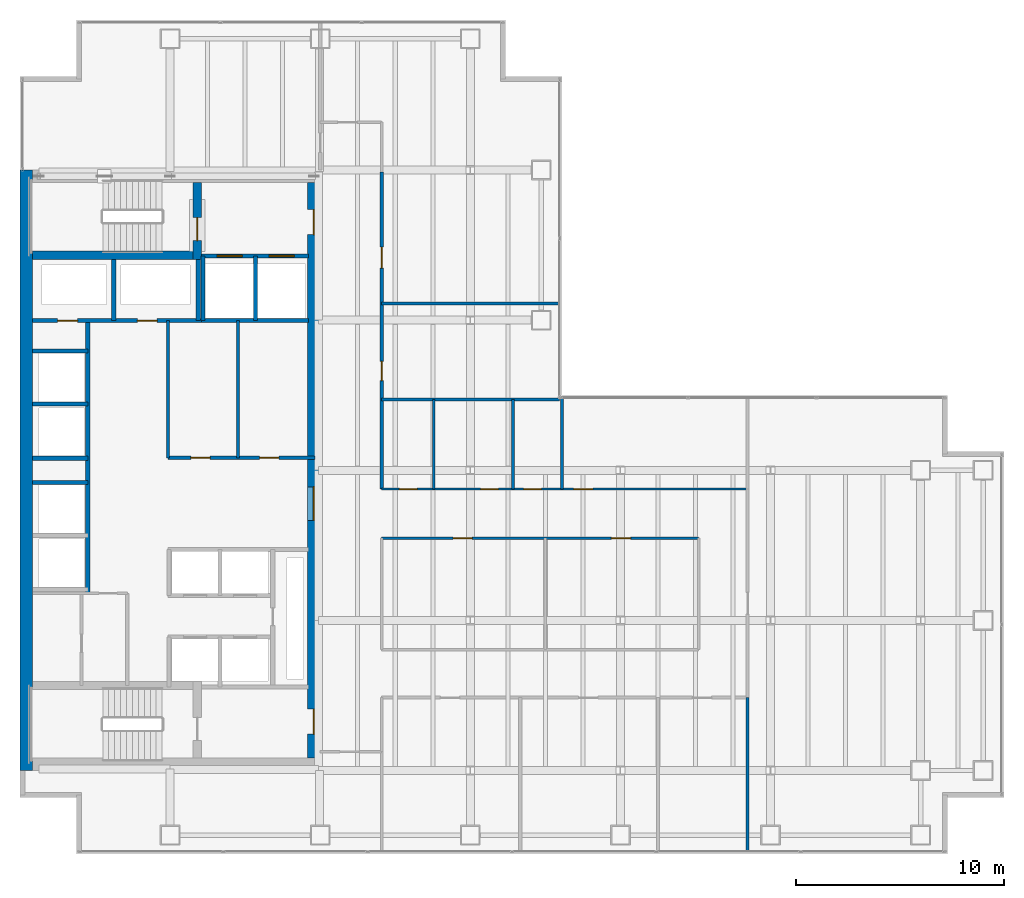
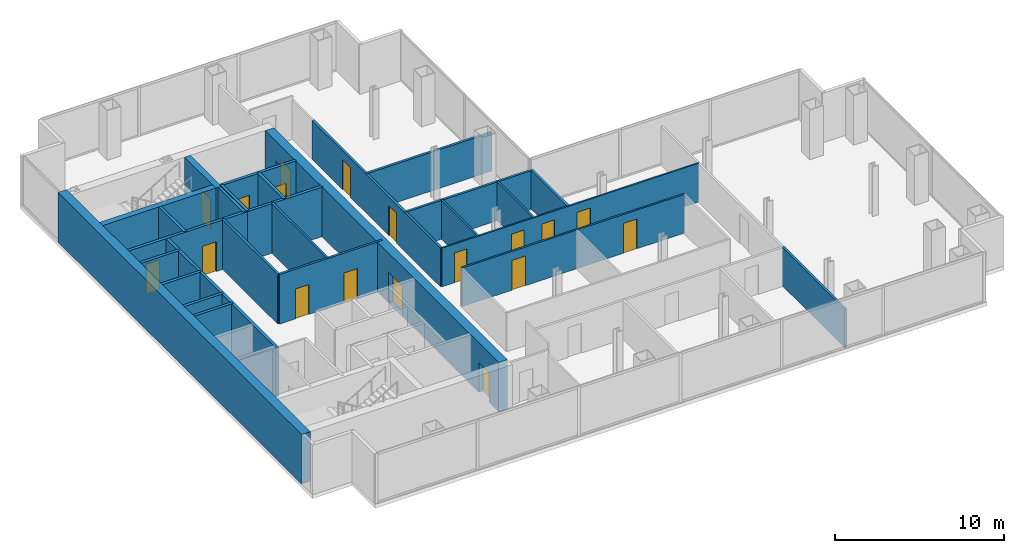
# One storey, part 21 of 23: 28 walls, 18 doors, 18 openings.
"""IFC4 building model written with IfcOpenShell, lengths in metres."""

from ifc_helpers import new_model, si_unit, direction, frame, frame_2d, origin, place, context, subcontext, project, spatial, rectangle, extrude, material, layer, layer_set, type_object, element, fill, save


model = new_model("IFC4")

# Units and contexts
model_context = context("Model", 3, precision=1e-05, world=origin(), true_north=direction((0.0, 1.0)))
body_context = subcontext(model_context, "Body", "Model", "MODEL_VIEW")
ifc_project = project(units=[si_unit("LENGTHUNIT", "METRE"), si_unit("AREAUNIT", "SQUARE_METRE"), si_unit("VOLUMEUNIT", "CUBIC_METRE"), si_unit("PLANEANGLEUNIT", "RADIAN"), si_unit("MASSUNIT", "GRAM", prefix="KILO")], contexts=[model_context])

# Site, building, storey
site_placement = place(None, origin())
site = spatial("IfcSite", under=ifc_project, at=site_placement, CompositionType="ELEMENT")
building_placement = place(site_placement, origin())
building = spatial("IfcBuilding", under=site, at=building_placement, Name="Cobrela Telecom Tower", CompositionType="ELEMENT")
storey_placement = place(building_placement, frame((0.0, 0.0, 109.89990234375)))
storey = spatial("IfcBuildingStorey", under=building, at=storey_placement, Name="L27", CompositionType="ELEMENT", Elevation=109.89990234375)

# Wall
ifc_material_1 = material(Name="Concrete C50/60", Category="concrete")
ifc_layer_1 = layer(ifc_material_1, 0.60009765625)
ifc_layer_set_1 = layer_set([ifc_layer_1], Name="Concrete C50/60")
wall_type_1 = type_object("IfcWallType", Name="WALL-CORE-C50-600", PredefinedType="SHEAR", material=ifc_layer_set_1)
wall_1_placement = place(storey_placement, frame((0.300048828125, 7.199951171875, 0.0), z_axis=(0.0, 0.0, 1.0), x_axis=(0.0, 1.0, 0.0)))
element("IfcWall", 1, at=wall_1_placement, inside=storey, type_object=wall_type_1, Name="L27 West Core Shear Wall", PredefinedType="SHEAR", context=body_context, shape_type="SweptSolid", body=[
    extrude(rectangle(XDim=28.800048828125, YDim=0.60009765625, at=frame_2d((14.39990234375, 0.0))), origin(), (0.0, 0.0, 1.0), 3.580078125),
])

# Wall, openings, doors
wall_2_placement = place(storey_placement, frame((14.10009765625, 35.39990234375, 0.0), z_axis=(0.0, 0.0, 1.0), x_axis=(0.0, -1.0, 0.0)))
wall_2 = element("IfcWall", 2, at=wall_2_placement, inside=storey, type_object=wall_type_1, Name="L27 East Core Shear Wall", PredefinedType="SHEAR", context=body_context, shape_type="SweptSolid", body=[
    extrude(rectangle(XDim=27.599853515625, YDim=0.60009765625, at=frame_2d((13.7998046875, 0.0))), origin(), (0.0, 0.0, 1.0), 3.580078125),
])
opening_1_placement = place(wall_2_placement, frame((1.300048828125, 0.0, 0.0)))
opening_1 = element("IfcOpeningElement", 3, at=opening_1_placement, cuts=wall_2, Name="Opening DR-19", PredefinedType="OPENING", context=body_context, shape_type="SweptSolid", body=[
    extrude(rectangle(XDim=1.199951171875, YDim=2.14990234375, at=frame_2d((0.60009765625, 1.074951171875))), frame((0.0, 0.31201171875, 0.0), z_axis=(0.0, -1.0, 0.0), x_axis=(1.0, 0.0, 0.0)), (0.0, 0.0, 1.0), 0.6240234375),
])
opening_2_placement = place(wall_2_placement, frame((25.25, 0.0, 0.0)))
opening_2 = element("IfcOpeningElement", 4, at=opening_2_placement, cuts=wall_2, Name="Opening DR-19", PredefinedType="OPENING", context=body_context, shape_type="SweptSolid", body=[
    extrude(rectangle(XDim=1.199951171875, YDim=2.14990234375, at=frame_2d((0.60009765625, 1.074951171875))), frame((0.0, 0.31201171875, 0.0), z_axis=(0.0, -1.0, 0.0), x_axis=(1.0, 0.0, 0.0)), (0.0, 0.0, 1.0), 0.6240234375),
])
opening_3_placement = place(wall_2_placement, frame((14.60009765625, 0.0, 0.0)))
opening_3 = element("IfcOpeningElement", 5, at=opening_3_placement, cuts=wall_2, Name="Opening DR-51", PredefinedType="OPENING", context=body_context, shape_type="SweptSolid", body=[
    extrude(rectangle(XDim=1.60009765625, YDim=2.199951171875, at=frame_2d((0.800048828125, 1.10009765625))), frame((0.0, 0.31201171875, 0.0), z_axis=(0.0, -1.0, 0.0), x_axis=(1.0, 0.0, 0.0)), (0.0, 0.0, 1.0), 0.6240234375),
])
ifc_material_2 = material(Name="Steel ASTM A36", Category="steel")
door_type_1 = type_object("IfcDoorType", Name="DOOR-FD60-1200", OperationType="SINGLE_SWING_LEFT", PredefinedType="DOOR", material=ifc_material_2)
door_1_placement = place(opening_1_placement, origin())
door_1 = element("IfcDoor", 6, at=door_1_placement, inside=storey, type_object=door_type_1, Name="L27 Door DR-19", OperationType="SINGLE_SWING_LEFT", OverallHeight=2.14990234375, OverallWidth=1.199951171875, PredefinedType="DOOR", context=body_context, shape_type="SweptSolid", body=[
    extrude(rectangle(XDim=1.199951171875, YDim=2.14990234375, at=frame_2d((0.60009765625, 1.074951171875))), frame((0.0, 0.02490234375, 0.0), z_axis=(0.0, -1.0, 0.0), x_axis=(1.0, 0.0, 0.0)), (0.0, 0.0, 1.0), 0.050048828125),
])
fill(opening_1, door_1)
door_2_placement = place(opening_2_placement, origin())
door_2 = element("IfcDoor", 7, at=door_2_placement, inside=storey, type_object=door_type_1, Name="L27 Door DR-19", OperationType="SINGLE_SWING_RIGHT", OverallHeight=2.14990234375, OverallWidth=1.199951171875, PredefinedType="DOOR", context=body_context, shape_type="SweptSolid", body=[
    extrude(rectangle(XDim=1.199951171875, YDim=2.14990234375, at=frame_2d((0.60009765625, 1.074951171875))), frame((0.0, 0.02490234375, 0.0), z_axis=(0.0, -1.0, 0.0), x_axis=(1.0, 0.0, 0.0)), (0.0, 0.0, 1.0), 0.050048828125),
])
fill(opening_2, door_2)
door_type_2 = type_object("IfcDoorType", Name="DOOR-FD60-1600", OperationType="SINGLE_SWING_LEFT", PredefinedType="DOOR", material=ifc_material_2)
door_3_placement = place(opening_3_placement, origin())
door_3 = element("IfcDoor", 8, at=door_3_placement, inside=storey, type_object=door_type_2, Name="L27 Door DR-51", OperationType="DOUBLE_DOOR_SINGLE_SWING", OverallHeight=2.199951171875, OverallWidth=1.60009765625, PredefinedType="DOOR", context=body_context, shape_type="SweptSolid", body=[
    extrude(rectangle(XDim=1.60009765625, YDim=2.199951171875, at=frame_2d((0.800048828125, 1.10009765625))), frame((0.0, 0.02490234375, 0.0), z_axis=(0.0, -1.0, 0.0), x_axis=(1.0, 0.0, 0.0)), (0.0, 0.0, 1.0), 0.050048828125),
])
fill(opening_3, door_3)

ifc_material_3 = material(Name="Fire-Rated Gypsum Plasterboard")
ifc_layer_2 = layer(ifc_material_3, 0.110107421875)
ifc_layer_set_2 = layer_set([ifc_layer_2], Name="Fire-Rated Gypsum Plasterboard")
wall_type_2 = type_object("IfcWallType", Name="WALL-PART-110", PredefinedType="PARTITIONING", material=ifc_layer_set_2)
wall_3_placement = place(storey_placement, frame((17.35009765625, 20.699951171875, 0.0), z_axis=(0.0, 0.0, 1.0), x_axis=(1.0, 0.0, 0.0)))
wall_3 = element("IfcWall", 9, at=wall_3_placement, inside=storey, type_object=wall_type_2, Name="L27 Interior Partition W-UN-N", PredefinedType="PARTITIONING", context=body_context, shape_type="SweptSolid", body=[
    extrude(rectangle(XDim=17.5498046875, YDim=0.110107421875, at=frame_2d((8.77490234375, 0.0))), origin(), (0.0, 0.0, 1.0), 2.793212890625),
])
opening_4_placement = place(wall_3_placement, frame((0.85009765625, 0.0, 0.0)))
opening_4 = element("IfcOpeningElement", 10, at=opening_4_placement, cuts=wall_3, Name="Opening DR-11", PredefinedType="OPENING", context=body_context, shape_type="SweptSolid", body=[
    extrude(rectangle(XDim=0.85009765625, YDim=2.14990234375, at=frame_2d((0.425048828125, 1.074951171875))), frame((0.0, 0.06689453125, 0.0), z_axis=(0.0, -1.0, 0.0), x_axis=(1.0, 0.0, 0.0)), (0.0, 0.0, 1.0), 0.134033203125),
])
opening_5_placement = place(wall_3_placement, frame((4.75, 0.0, 0.0)))
opening_5 = element("IfcOpeningElement", 11, at=opening_5_placement, cuts=wall_3, Name="Opening DR-11", PredefinedType="OPENING", context=body_context, shape_type="SweptSolid", body=[
    extrude(rectangle(XDim=0.85009765625, YDim=2.14990234375, at=frame_2d((0.425048828125, 1.074951171875))), frame((0.0, 0.06689453125, 0.0), z_axis=(0.0, -1.0, 0.0), x_axis=(1.0, 0.0, 0.0)), (0.0, 0.0, 1.0), 0.134033203125),
])
opening_6_placement = place(wall_3_placement, frame((6.81005859375, 0.0, 0.0)))
opening_6 = element("IfcOpeningElement", 12, at=opening_6_placement, cuts=wall_3, Name="Opening DR-11", PredefinedType="OPENING", context=body_context, shape_type="SweptSolid", body=[
    extrude(rectangle(XDim=0.85009765625, YDim=2.14990234375, at=frame_2d((0.425048828125, 1.074951171875))), frame((0.0, 0.06689453125, 0.0), z_axis=(0.0, -1.0, 0.0), x_axis=(1.0, 0.0, 0.0)), (0.0, 0.0, 1.0), 0.134033203125),
])
opening_7_placement = place(wall_3_placement, frame((9.2099609375, 0.0, 0.0)))
opening_7 = element("IfcOpeningElement", 13, at=opening_7_placement, cuts=wall_3, Name="Opening DR-45", PredefinedType="OPENING", context=body_context, shape_type="SweptSolid", body=[
    extrude(rectangle(XDim=0.919921875, YDim=2.14990234375, at=frame_2d((0.4599609375, 1.074951171875))), frame((0.0, 0.06689453125, 0.0), z_axis=(0.0, -1.0, 0.0), x_axis=(1.0, 0.0, 0.0)), (0.0, 0.0, 1.0), 0.134033203125),
])
ifc_material_4 = material(Name="Solid Engineered Oak Timber", Category="wood")
door_type_3 = type_object("IfcDoorType", Name="DOOR-INT-850", OperationType="SINGLE_SWING_LEFT", PredefinedType="DOOR", material=ifc_material_4)
door_4_placement = place(opening_4_placement, origin())
door_4 = element("IfcDoor", 14, at=door_4_placement, inside=storey, type_object=door_type_3, Name="L27 Door DR-11", OperationType="SINGLE_SWING_LEFT", OverallHeight=2.14990234375, OverallWidth=0.85009765625, PredefinedType="DOOR", context=body_context, shape_type="SweptSolid", body=[
    extrude(rectangle(XDim=0.85009765625, YDim=2.14990234375, at=frame_2d((0.425048828125, 1.074951171875))), frame((0.0, 0.02490234375, 0.0), z_axis=(0.0, -1.0, 0.0), x_axis=(1.0, 0.0, 0.0)), (0.0, 0.0, 1.0), 0.050048828125),
])
fill(opening_4, door_4)
door_5_placement = place(opening_5_placement, origin())
door_5 = element("IfcDoor", 15, at=door_5_placement, inside=storey, type_object=door_type_3, Name="L27 Door DR-11", OperationType="SINGLE_SWING_RIGHT", OverallHeight=2.14990234375, OverallWidth=0.85009765625, PredefinedType="DOOR", context=body_context, shape_type="SweptSolid", body=[
    extrude(rectangle(XDim=0.85009765625, YDim=2.14990234375, at=frame_2d((0.425048828125, 1.074951171875))), frame((0.0, 0.02490234375, 0.0), z_axis=(0.0, -1.0, 0.0), x_axis=(1.0, 0.0, 0.0)), (0.0, 0.0, 1.0), 0.050048828125),
])
fill(opening_5, door_5)
door_6_placement = place(opening_6_placement, origin())
door_6 = element("IfcDoor", 16, at=door_6_placement, inside=storey, type_object=door_type_3, Name="L27 Door DR-11", OperationType="SINGLE_SWING_LEFT", OverallHeight=2.14990234375, OverallWidth=0.85009765625, PredefinedType="DOOR", context=body_context, shape_type="SweptSolid", body=[
    extrude(rectangle(XDim=0.85009765625, YDim=2.14990234375, at=frame_2d((0.425048828125, 1.074951171875))), frame((0.0, 0.02490234375, 0.0), z_axis=(0.0, -1.0, 0.0), x_axis=(1.0, 0.0, 0.0)), (0.0, 0.0, 1.0), 0.050048828125),
])
fill(opening_6, door_6)
door_type_4 = type_object("IfcDoorType", Name="DOOR-INT-920", OperationType="SINGLE_SWING_LEFT", PredefinedType="DOOR", material=ifc_material_4)
door_7_placement = place(opening_7_placement, origin())
door_7 = element("IfcDoor", 17, at=door_7_placement, inside=storey, type_object=door_type_4, Name="L27 Door DR-45", OperationType="SINGLE_SWING_RIGHT", OverallHeight=2.14990234375, OverallWidth=0.919921875, PredefinedType="DOOR", context=body_context, shape_type="SweptSolid", body=[
    extrude(rectangle(XDim=0.919921875, YDim=2.14990234375, at=frame_2d((0.4599609375, 1.074951171875))), frame((0.0, 0.02490234375, 0.0), z_axis=(0.0, -1.0, 0.0), x_axis=(1.0, 0.0, 0.0)), (0.0, 0.0, 1.0), 0.050048828125),
])
fill(opening_7, door_7)

ifc_layer_3 = layer(ifc_material_3, 0.125)
ifc_layer_set_3 = layer_set([ifc_layer_3], Name="Fire-Rated Gypsum Plasterboard")
wall_type_3 = type_object("IfcWallType", Name="WALL-PART-125", PredefinedType="PARTITIONING", material=ifc_layer_set_3)
wall_4_placement = place(storey_placement, frame((17.35009765625, 18.35009765625, 0.0), z_axis=(0.0, 0.0, 1.0), x_axis=(1.0, 0.0, 0.0)))
wall_4 = element("IfcWall", 18, at=wall_4_placement, inside=storey, type_object=wall_type_3, Name="L27 Interior Partition W-ISL-N", PredefinedType="PARTITIONING", context=body_context, shape_type="SweptSolid", body=[
    extrude(rectangle(XDim=15.199951171875, YDim=0.125, at=frame_2d((7.60009765625, 0.0))), origin(), (0.0, 0.0, 1.0), 2.793212890625),
])
opening_8_placement = place(wall_4_placement, frame((3.419921875, 0.0, 0.0)))
opening_8 = element("IfcOpeningElement", 19, at=opening_8_placement, cuts=wall_4, Name="Opening DR-45", PredefinedType="OPENING", context=body_context, shape_type="SweptSolid", body=[
    extrude(rectangle(XDim=0.919921875, YDim=2.14990234375, at=frame_2d((0.4599609375, 1.074951171875))), frame((0.0, 0.074462890625, 0.0), z_axis=(0.0, -1.0, 0.0), x_axis=(1.0, 0.0, 0.0)), (0.0, 0.0, 1.0), 0.14892578125),
])
opening_9_placement = place(wall_4_placement, frame((11.02001953125, 0.0, 0.0)))
opening_9 = element("IfcOpeningElement", 20, at=opening_9_placement, cuts=wall_4, Name="Opening DR-45", PredefinedType="OPENING", context=body_context, shape_type="SweptSolid", body=[
    extrude(rectangle(XDim=0.919921875, YDim=2.14990234375, at=frame_2d((0.4599609375, 1.074951171875))), frame((0.0, 0.074462890625, 0.0), z_axis=(0.0, -1.0, 0.0), x_axis=(1.0, 0.0, 0.0)), (0.0, 0.0, 1.0), 0.14892578125),
])
door_8_placement = place(opening_8_placement, origin())
door_8 = element("IfcDoor", 21, at=door_8_placement, inside=storey, type_object=door_type_4, Name="L27 Door DR-45", OperationType="SINGLE_SWING_LEFT", OverallHeight=2.14990234375, OverallWidth=0.919921875, PredefinedType="DOOR", context=body_context, shape_type="SweptSolid", body=[
    extrude(rectangle(XDim=0.919921875, YDim=2.14990234375, at=frame_2d((0.4599609375, 1.074951171875))), frame((0.0, 0.02490234375, 0.0), z_axis=(0.0, -1.0, 0.0), x_axis=(1.0, 0.0, 0.0)), (0.0, 0.0, 1.0), 0.050048828125),
])
fill(opening_8, door_8)
door_9_placement = place(opening_9_placement, origin())
door_9 = element("IfcDoor", 22, at=door_9_placement, inside=storey, type_object=door_type_4, Name="L27 Door DR-45", OperationType="SINGLE_SWING_RIGHT", OverallHeight=2.14990234375, OverallWidth=0.919921875, PredefinedType="DOOR", context=body_context, shape_type="SweptSolid", body=[
    extrude(rectangle(XDim=0.919921875, YDim=2.14990234375, at=frame_2d((0.4599609375, 1.074951171875))), frame((0.0, 0.02490234375, 0.0), z_axis=(0.0, -1.0, 0.0), x_axis=(1.0, 0.0, 0.0)), (0.0, 0.0, 1.0), 0.050048828125),
])
fill(opening_9, door_9)

# Walls
for number, where, z_axis, x_axis, name in (
    (23, (19.85009765625, 20.699951171875, 0.0), (0.0, 0.0, 1.0), (0.0, 1.0, 0.0), "L27 Interior Partition W-WC-V1"),
    (24, (23.64990234375, 20.699951171875, 0.0), (0.0, 0.0, 1.0), (0.0, 1.0, 0.0), "L27 Interior Partition W-WC-V2"),
):
    element("IfcWall", number, at=place(storey_placement, frame(where, z_axis=z_axis, x_axis=x_axis)), inside=storey, type_object=wall_type_3, Name=name, PredefinedType="PARTITIONING", context=body_context, shape_type="SweptSolid", body=[
        extrude(rectangle(XDim=4.300048828125, YDim=0.125, at=frame_2d((2.14990234375, 0.0))), origin(), (0.0, 0.0, 1.0), 2.793212890625),
    ])
ifc_layer_4 = layer(ifc_material_3, 0.135009765625)
ifc_layer_set_4 = layer_set([ifc_layer_4], Name="Fire-Rated Gypsum Plasterboard")
wall_type_4 = type_object("IfcWallType", Name="WALL-PART-135", PredefinedType="PARTITIONING", material=ifc_layer_set_4)
wall_5_placement = place(storey_placement, frame((10.449951171875, 22.199951171875, 0.0), z_axis=(0.0, 0.0, 1.0), x_axis=(0.0, 1.0, 0.0)))
element("IfcWall", 25, at=wall_5_placement, inside=storey, type_object=wall_type_4, Name="L27 Interior Partition CW-RECL-V", PredefinedType="PARTITIONING", context=body_context, shape_type="SweptSolid", body=[
    extrude(rectangle(XDim=6.580078125, YDim=0.135009765625, at=frame_2d((3.2900390625, 0.0))), origin(), (0.0, 0.0, 1.0), 3.580078125),
])

# Wall, openings, doors
ifc_layer_5 = layer(ifc_material_3, 0.14990234375)
ifc_layer_set_5 = layer_set([ifc_layer_5], Name="Fire-Rated Gypsum Plasterboard")
wall_type_5 = type_object("IfcWallType", Name="WALL-PART-150", PredefinedType="PARTITIONING", material=ifc_layer_set_5)
wall_6_placement = place(storey_placement, frame((7.10009765625, 22.199951171875, 0.0), z_axis=(0.0, 0.0, 1.0), x_axis=(1.0, 0.0, 0.0)))
wall_6 = element("IfcWall", 26, at=wall_6_placement, inside=storey, type_object=wall_type_5, Name="L27 Interior Partition CW-RECL-S", PredefinedType="PARTITIONING", context=body_context, shape_type="SweptSolid", body=[
    extrude(rectangle(XDim=7.0498046875, YDim=0.14990234375, at=frame_2d((3.52490234375, 0.0))), origin(), (0.0, 0.0, 1.0), 3.580078125),
])
opening_10_placement = place(wall_6_placement, frame((1.10009765625, 0.0, 0.0)))
opening_10 = element("IfcOpeningElement", 27, at=opening_10_placement, cuts=wall_6, Name="Opening DR-45", PredefinedType="OPENING", context=body_context, shape_type="SweptSolid", body=[
    extrude(rectangle(XDim=0.919921875, YDim=2.14990234375, at=frame_2d((0.4599609375, 1.074951171875))), frame((0.0, 0.0869140625, 0.0), z_axis=(0.0, -1.0, 0.0), x_axis=(1.0, 0.0, 0.0)), (0.0, 0.0, 1.0), 0.173828125),
])
opening_11_placement = place(wall_6_placement, frame((4.39990234375, 0.0, 0.0)))
opening_11 = element("IfcOpeningElement", 28, at=opening_11_placement, cuts=wall_6, Name="Opening DR-45", PredefinedType="OPENING", context=body_context, shape_type="SweptSolid", body=[
    extrude(rectangle(XDim=0.919921875, YDim=2.14990234375, at=frame_2d((0.4599609375, 1.074951171875))), frame((0.0, 0.0869140625, 0.0), z_axis=(0.0, -1.0, 0.0), x_axis=(1.0, 0.0, 0.0)), (0.0, 0.0, 1.0), 0.173828125),
])
door_10_placement = place(opening_10_placement, origin())
door_10 = element("IfcDoor", 29, at=door_10_placement, inside=storey, type_object=door_type_4, Name="L27 Door DR-45", OperationType="SINGLE_SWING_LEFT", OverallHeight=2.14990234375, OverallWidth=0.919921875, PredefinedType="DOOR", context=body_context, shape_type="SweptSolid", body=[
    extrude(rectangle(XDim=0.919921875, YDim=2.14990234375, at=frame_2d((0.4599609375, 1.074951171875))), frame((0.0, 0.02490234375, 0.0), z_axis=(0.0, -1.0, 0.0), x_axis=(1.0, 0.0, 0.0)), (0.0, 0.0, 1.0), 0.050048828125),
])
fill(opening_10, door_10)
door_11_placement = place(opening_11_placement, origin())
door_11 = element("IfcDoor", 30, at=door_11_placement, inside=storey, type_object=door_type_4, Name="L27 Door DR-45", OperationType="SINGLE_SWING_RIGHT", OverallHeight=2.14990234375, OverallWidth=0.919921875, PredefinedType="DOOR", context=body_context, shape_type="SweptSolid", body=[
    extrude(rectangle(XDim=0.919921875, YDim=2.14990234375, at=frame_2d((0.4599609375, 1.074951171875))), frame((0.0, 0.02490234375, 0.0), z_axis=(0.0, -1.0, 0.0), x_axis=(1.0, 0.0, 0.0)), (0.0, 0.0, 1.0), 0.050048828125),
])
fill(opening_11, door_11)

# Walls
wall_7_placement = place(storey_placement, frame((17.35009765625, 25.0, 0.0), z_axis=(0.0, 0.0, 1.0), x_axis=(1.0, 0.0, 0.0)))
element("IfcWall", 31, at=wall_7_placement, inside=storey, type_object=wall_type_5, Name="L27 Interior Partition W-WC-N", PredefinedType="PARTITIONING", context=body_context, shape_type="SweptSolid", body=[
    extrude(rectangle(XDim=8.52978515625, YDim=0.14990234375, at=frame_2d((4.264892578125, 0.0))), origin(), (0.0, 0.0, 1.0), 2.793212890625),
])
wall_8_placement = place(storey_placement, frame((34.89990234375, 3.320068359375, 0.0), z_axis=(0.0, 0.0, 1.0), x_axis=(0.0, 1.0, 0.0)))
element("IfcWall", 32, at=wall_8_placement, inside=storey, type_object=wall_type_5, Name="L27 Interior Partition W-UFE-S", PredefinedType="PARTITIONING", context=body_context, shape_type="SweptSolid", body=[
    extrude(rectangle(XDim=7.3798828125, YDim=0.14990234375, at=frame_2d((3.68994140625, 0.0))), origin(), (0.0, 0.0, 1.0), 2.793212890625),
])
ifc_layer_6 = layer(ifc_material_3, 0.159912109375)
ifc_layer_set_6 = layer_set([ifc_layer_6], Name="Fire-Rated Gypsum Plasterboard")
wall_type_6 = type_object("IfcWallType", Name="WALL-PART-160", PredefinedType="PARTITIONING", material=ifc_layer_set_6)
wall_9_placement = place(storey_placement, frame((7.10009765625, 22.199951171875, 0.0), z_axis=(0.0, 0.0, 1.0), x_axis=(0.0, 1.0, 0.0)))
element("IfcWall", 33, at=wall_9_placement, inside=storey, type_object=wall_type_6, Name="L27 Interior Partition CW-RECL-W", PredefinedType="PARTITIONING", context=body_context, shape_type="SweptSolid", body=[
    extrude(rectangle(XDim=6.580078125, YDim=0.159912109375, at=frame_2d((3.2900390625, 0.0))), origin(), (0.0, 0.0, 1.0), 3.580078125),
])

# Wall, openings, doors
wall_10_placement = place(storey_placement, frame((17.35009765625, 20.699951171875, 0.0), z_axis=(0.0, 0.0, 1.0), x_axis=(0.0, 1.0, 0.0)))
wall_10 = element("IfcWall", 34, at=wall_10_placement, inside=storey, type_object=wall_type_6, Name="L27 Interior Partition W-UW-E2", PredefinedType="PARTITIONING", context=body_context, shape_type="SweptSolid", body=[
    extrude(rectangle(XDim=15.199951171875, YDim=0.159912109375, at=frame_2d((7.60009765625, 0.0))), origin(), (0.0, 0.0, 1.0), 2.793212890625),
])
opening_12_placement = place(wall_10_placement, frame((5.199951171875, 0.0, 0.0)))
opening_12 = element("IfcOpeningElement", 35, at=opening_12_placement, cuts=wall_10, Name="Opening DR-45", PredefinedType="OPENING", context=body_context, shape_type="SweptSolid", body=[
    extrude(rectangle(XDim=0.919921875, YDim=2.14990234375, at=frame_2d((0.4599609375, 1.074951171875))), frame((0.0, 0.091796875, 0.0), z_axis=(0.0, -1.0, 0.0), x_axis=(1.0, 0.0, 0.0)), (0.0, 0.0, 1.0), 0.183837890625),
])
opening_13_placement = place(wall_10_placement, frame((10.60009765625, 0.0, 0.0)))
opening_13 = element("IfcOpeningElement", 36, at=opening_13_placement, cuts=wall_10, Name="Opening DR-31", PredefinedType="OPENING", context=body_context, shape_type="SweptSolid", body=[
    extrude(rectangle(XDim=1.0, YDim=2.14990234375, at=frame_2d((0.5, 1.074951171875))), frame((0.0, 0.091796875, 0.0), z_axis=(0.0, -1.0, 0.0), x_axis=(1.0, 0.0, 0.0)), (0.0, 0.0, 1.0), 0.183837890625),
])
door_type_5 = type_object("IfcDoorType", Name="DOOR-INT-1000", OperationType="SINGLE_SWING_LEFT", PredefinedType="DOOR", material=ifc_material_4)
door_12_placement = place(opening_13_placement, origin())
door_12 = element("IfcDoor", 37, at=door_12_placement, inside=storey, type_object=door_type_5, Name="L27 Door DR-31", OperationType="SINGLE_SWING_LEFT", OverallHeight=2.14990234375, OverallWidth=1.0, PredefinedType="DOOR", context=body_context, shape_type="SweptSolid", body=[
    extrude(rectangle(XDim=1.0, YDim=2.14990234375, at=frame_2d((0.5, 1.074951171875))), frame((0.0, 0.02490234375, 0.0), z_axis=(0.0, -1.0, 0.0), x_axis=(1.0, 0.0, 0.0)), (0.0, 0.0, 1.0), 0.050048828125),
])
fill(opening_13, door_12)
door_13_placement = place(opening_12_placement, origin())
door_13 = element("IfcDoor", 38, at=door_13_placement, inside=storey, type_object=door_type_4, Name="L27 Door DR-45", OperationType="SINGLE_SWING_RIGHT", OverallHeight=2.14990234375, OverallWidth=0.919921875, PredefinedType="DOOR", context=body_context, shape_type="SweptSolid", body=[
    extrude(rectangle(XDim=0.919921875, YDim=2.14990234375, at=frame_2d((0.4599609375, 1.074951171875))), frame((0.0, 0.02490234375, 0.0), z_axis=(0.0, -1.0, 0.0), x_axis=(1.0, 0.0, 0.0)), (0.0, 0.0, 1.0), 0.050048828125),
])
fill(opening_12, door_13)

# Walls
wall_11_placement = place(storey_placement, frame((17.35009765625, 29.60009765625, 0.0), z_axis=(0.0, 0.0, 1.0), x_axis=(1.0, 0.0, 0.0)))
element("IfcWall", 39, at=wall_11_placement, inside=storey, type_object=wall_type_6, Name="L27 Interior Partition W-NPAN-N", PredefinedType="PARTITIONING", context=body_context, shape_type="SweptSolid", body=[
    extrude(rectangle(XDim=8.52978515625, YDim=0.159912109375, at=frame_2d((4.264892578125, 0.0))), origin(), (0.0, 0.0, 1.0), 2.793212890625),
])
wall_12_placement = place(storey_placement, frame((26.0, 20.699951171875, 0.0), z_axis=(0.0, 0.0, 1.0), x_axis=(0.0, 1.0, 0.0)))
element("IfcWall", 40, at=wall_12_placement, inside=storey, type_object=wall_type_6, Name="L27 Interior Partition W-UEN-W", PredefinedType="PARTITIONING", context=body_context, shape_type="SweptSolid", body=[
    extrude(rectangle(XDim=4.380126953125, YDim=0.159912109375, at=frame_2d((2.18994140625, 0.0))), origin(), (0.0, 0.0, 1.0), 2.793212890625),
])

# Wall, openings, doors
ifc_layer_7 = layer(ifc_material_3, 0.199951171875)
ifc_layer_set_7 = layer_set([ifc_layer_7], Name="Fire-Rated Gypsum Plasterboard")
wall_type_7 = type_object("IfcWallType", Name="WALL-SHAFT-200", PredefinedType="PARTITIONING", material=ifc_layer_set_7)
wall_13_placement = place(storey_placement, frame((8.699951171875, 31.8798828125, 0.0), z_axis=(0.0, 0.0, 1.0), x_axis=(1.0, 0.0, 0.0)))
wall_13 = element("IfcWall", 41, at=wall_13_placement, inside=storey, type_object=wall_type_7, Name="L27 Shaft Enclosure CW-FFL-S", PredefinedType="PARTITIONING", context=body_context, shape_type="SweptSolid", body=[
    extrude(rectangle(XDim=5.150146484375, YDim=0.199951171875, at=frame_2d((2.5751953125, 0.0))), origin(), (0.0, 0.0, 1.0), 3.580078125),
])
opening_14_placement = place(wall_13_placement, frame((0.75, 0.0, 0.0)))
opening_14 = element("IfcOpeningElement", 42, at=opening_14_placement, cuts=wall_13, Name="Opening LD-2", PredefinedType="OPENING", context=body_context, shape_type="SweptSolid", body=[
    extrude(rectangle(XDim=1.199951171875, YDim=2.199951171875, at=frame_2d((0.60009765625, 1.10009765625))), frame((0.0, 0.11181640625, 0.0), z_axis=(0.0, -1.0, 0.0), x_axis=(1.0, 0.0, 0.0)), (0.0, 0.0, 1.0), 0.223876953125),
])
opening_15_placement = place(wall_13_placement, frame((3.25, 0.0, 0.0)))
opening_15 = element("IfcOpeningElement", 43, at=opening_15_placement, cuts=wall_13, Name="Opening LD-2", PredefinedType="OPENING", context=body_context, shape_type="SweptSolid", body=[
    extrude(rectangle(XDim=1.199951171875, YDim=2.199951171875, at=frame_2d((0.60009765625, 1.10009765625))), frame((0.0, 0.11181640625, 0.0), z_axis=(0.0, -1.0, 0.0), x_axis=(1.0, 0.0, 0.0)), (0.0, 0.0, 1.0), 0.223876953125),
])
door_type_6 = type_object("IfcDoorType", Name="DOOR-LD-FFL", OperationType="SINGLE_SWING_LEFT", PredefinedType="DOOR", material=ifc_material_2)
door_14_placement = place(opening_14_placement, origin())
door_14 = element("IfcDoor", 44, at=door_14_placement, inside=storey, type_object=door_type_6, Name="L27 Lift Landing Door LD-2", OperationType="DOUBLE_DOOR_SLIDING", OverallHeight=2.199951171875, OverallWidth=1.199951171875, PredefinedType="DOOR", context=body_context, shape_type="SweptSolid", body=[
    extrude(rectangle(XDim=1.199951171875, YDim=2.199951171875, at=frame_2d((0.60009765625, 1.10009765625))), frame((0.0, 0.02490234375, 0.0), z_axis=(0.0, -1.0, 0.0), x_axis=(1.0, 0.0, 0.0)), (0.0, 0.0, 1.0), 0.050048828125),
])
fill(opening_14, door_14)
door_15_placement = place(opening_15_placement, origin())
door_15 = element("IfcDoor", 45, at=door_15_placement, inside=storey, type_object=door_type_6, Name="L27 Lift Landing Door LD-2", OperationType="DOUBLE_DOOR_SLIDING", OverallHeight=2.199951171875, OverallWidth=1.199951171875, PredefinedType="DOOR", context=body_context, shape_type="SweptSolid", body=[
    extrude(rectangle(XDim=1.199951171875, YDim=2.199951171875, at=frame_2d((0.60009765625, 1.10009765625))), frame((0.0, 0.02490234375, 0.0), z_axis=(0.0, -1.0, 0.0), x_axis=(1.0, 0.0, 0.0)), (0.0, 0.0, 1.0), 0.050048828125),
])
fill(opening_15, door_15)

# Walls
wall_14_placement = place(storey_placement, frame((8.699951171875, 28.780029296875, 0.0), z_axis=(0.0, 0.0, 1.0), x_axis=(1.0, 0.0, 0.0)))
element("IfcWall", 46, at=wall_14_placement, inside=storey, type_object=wall_type_7, Name="L27 Shaft Enclosure CW-FFL-S2", PredefinedType="PARTITIONING", context=body_context, shape_type="SweptSolid", body=[
    extrude(rectangle(XDim=5.150146484375, YDim=0.199951171875, at=frame_2d((2.5751953125, 0.0))), origin(), (0.0, 0.0, 1.0), 3.580078125),
])
for number, where, z_axis, x_axis, name in (
    (47, (8.780029296875, 28.780029296875, 0.0), (0.0, 0.0, 1.0), (0.0, 1.0, 0.0), "L27 Shaft Enclosure CW-FFL-W"),
    (48, (11.300048828125, 28.780029296875, 0.0), (0.0, 0.0, 1.0), (0.0, 1.0, 0.0), "L27 Shaft Enclosure CW-FFL-M"),
):
    element("IfcWall", number, at=place(storey_placement, frame(where, z_axis=z_axis, x_axis=x_axis)), inside=storey, type_object=wall_type_7, Name=name, PredefinedType="PARTITIONING", context=body_context, shape_type="SweptSolid", body=[
        extrude(rectangle(XDim=3.099853515625, YDim=0.199951171875, at=frame_2d((1.5498046875, 0.0))), origin(), (0.0, 0.0, 1.0), 3.580078125),
    ])

# Wall, openings, doors
wall_15_placement = place(storey_placement, frame((0.60009765625, 28.780029296875, 0.0), z_axis=(0.0, 0.0, 1.0), x_axis=(1.0, 0.0, 0.0)))
wall_15 = element("IfcWall", 49, at=wall_15_placement, inside=storey, type_object=wall_type_7, Name="L27 Shaft Enclosure CW-RIS-S", PredefinedType="PARTITIONING", context=body_context, shape_type="SweptSolid", body=[
    extrude(rectangle(XDim=8.179931640625, YDim=0.199951171875, at=frame_2d((4.08984375, 0.0))), origin(), (0.0, 0.0, 1.0), 3.580078125),
])
opening_16_placement = place(wall_15_placement, frame((1.2099609375, 0.0, 0.0)))
opening_16 = element("IfcOpeningElement", 50, at=opening_16_placement, cuts=wall_15, Name="Opening DR-65", PredefinedType="OPENING", context=body_context, shape_type="SweptSolid", body=[
    extrude(rectangle(XDim=0.949951171875, YDim=2.14990234375, at=frame_2d((0.47509765625, 1.074951171875))), frame((0.0, 0.11181640625, 0.0), z_axis=(0.0, -1.0, 0.0), x_axis=(1.0, 0.0, 0.0)), (0.0, 0.0, 1.0), 0.223876953125),
])
opening_17_placement = place(wall_15_placement, frame((5.030029296875, 0.0, 0.0)))
opening_17 = element("IfcOpeningElement", 51, at=opening_17_placement, cuts=wall_15, Name="Opening DR-65", PredefinedType="OPENING", context=body_context, shape_type="SweptSolid", body=[
    extrude(rectangle(XDim=0.949951171875, YDim=2.14990234375, at=frame_2d((0.47509765625, 1.074951171875))), frame((0.0, 0.11181640625, 0.0), z_axis=(0.0, -1.0, 0.0), x_axis=(1.0, 0.0, 0.0)), (0.0, 0.0, 1.0), 0.223876953125),
])
door_type_7 = type_object("IfcDoorType", Name="DOOR-FD60-950", OperationType="SINGLE_SWING_LEFT", PredefinedType="DOOR", material=ifc_material_2)
door_16_placement = place(opening_16_placement, origin())
door_16 = element("IfcDoor", 52, at=door_16_placement, inside=storey, type_object=door_type_7, Name="L27 Door DR-65", OperationType="SINGLE_SWING_LEFT", OverallHeight=2.14990234375, OverallWidth=0.949951171875, PredefinedType="DOOR", context=body_context, shape_type="SweptSolid", body=[
    extrude(rectangle(XDim=0.949951171875, YDim=2.14990234375, at=frame_2d((0.47509765625, 1.074951171875))), frame((0.0, 0.02490234375, 0.0), z_axis=(0.0, -1.0, 0.0), x_axis=(1.0, 0.0, 0.0)), (0.0, 0.0, 1.0), 0.050048828125),
])
fill(opening_16, door_16)
door_17_placement = place(opening_17_placement, origin())
door_17 = element("IfcDoor", 53, at=door_17_placement, inside=storey, type_object=door_type_7, Name="L27 Door DR-65", OperationType="SINGLE_SWING_RIGHT", OverallHeight=2.14990234375, OverallWidth=0.949951171875, PredefinedType="DOOR", context=body_context, shape_type="SweptSolid", body=[
    extrude(rectangle(XDim=0.949951171875, YDim=2.14990234375, at=frame_2d((0.47509765625, 1.074951171875))), frame((0.0, 0.02490234375, 0.0), z_axis=(0.0, -1.0, 0.0), x_axis=(1.0, 0.0, 0.0)), (0.0, 0.0, 1.0), 0.050048828125),
])
fill(opening_17, door_17)

# Walls
for number, where, z_axis, x_axis, name in (
    (54, (4.5, 28.780029296875, 0.0), (0.0, 0.0, 1.0), (0.0, 1.0, 0.0), "L27 Shaft Enclosure CW-RIS-M"),
    (55, (8.550048828125, 28.780029296875, 0.0), (0.0, 0.0, 1.0), (0.0, 1.0, 0.0), "L27 Shaft Enclosure CW-RIS-E"),
):
    element("IfcWall", number, at=place(storey_placement, frame(where, z_axis=z_axis, x_axis=x_axis)), inside=storey, type_object=wall_type_7, Name=name, PredefinedType="PARTITIONING", context=body_context, shape_type="SweptSolid", body=[
        extrude(rectangle(XDim=2.93994140625, YDim=0.199951171875, at=frame_2d((1.469970703125, 0.0))), origin(), (0.0, 0.0, 1.0), 3.580078125),
    ])
wall_16_placement = place(storey_placement, frame((3.25, 15.699951171875, 0.0), z_axis=(0.0, 0.0, 1.0), x_axis=(0.0, 1.0, 0.0)))
element("IfcWall", 56, at=wall_16_placement, inside=storey, type_object=wall_type_7, Name="L27 Shaft Enclosure CW-PLH-E", PredefinedType="PARTITIONING", context=body_context, shape_type="SweptSolid", body=[
    extrude(rectangle(XDim=13.080078125, YDim=0.199951171875, at=frame_2d((6.5400390625, 0.0))), origin(), (0.0, 0.0, 1.0), 3.580078125),
])
for number, where, z_axis, x_axis, name in (
    (57, (0.60009765625, 22.179931640625, 0.0), (0.0, 0.0, 1.0), (1.0, 0.0, 0.0), "L27 Shaft Enclosure CW-PLH-D11"),
    (58, (0.60009765625, 24.780029296875, 0.0), (0.0, 0.0, 1.0), (1.0, 0.0, 0.0), "L27 Shaft Enclosure CW-PLH-D12"),
    (59, (0.60009765625, 21.02001953125, 0.0), (0.0, 0.0, 1.0), (1.0, 0.0, 0.0), "L27 Shaft Enclosure CW-PLH-MID"),
    (60, (0.60009765625, 27.320068359375, 0.0), (0.0, 0.0, 1.0), (1.0, 0.0, 0.0), "L27 Shaft Enclosure CW-PLH-TOP"),
):
    element("IfcWall", number, at=place(storey_placement, frame(where, z_axis=z_axis, x_axis=x_axis)), inside=storey, type_object=wall_type_7, Name=name, PredefinedType="PARTITIONING", context=body_context, shape_type="SweptSolid", body=[
        extrude(rectangle(XDim=2.64990234375, YDim=0.199951171875, at=frame_2d((1.324951171875, 0.0))), origin(), (0.0, 0.0, 1.0), 3.580078125),
    ])
ifc_material_5 = material(Name="Concrete C40/50", Category="concrete")
ifc_layer_8 = layer(ifc_material_5, 0.39990234375)
ifc_layer_set_8 = layer_set([ifc_layer_8], Name="Concrete C40/50")
wall_type_8 = type_object("IfcWallType", Name="WALL-SHAFT-C40-400", PredefinedType="SHEAR", material=ifc_layer_set_8)
wall_17_placement = place(storey_placement, frame((0.60009765625, 31.919921875, 0.0), z_axis=(0.0, 0.0, 1.0), x_axis=(1.0, 0.0, 0.0)))
element("IfcWall", 61, at=wall_17_placement, inside=storey, type_object=wall_type_8, Name="L27 North Stair Shear Wall", PredefinedType="SHEAR", context=body_context, shape_type="SweptSolid", body=[
    extrude(rectangle(XDim=7.699951171875, YDim=0.39990234375, at=frame_2d((3.85009765625, 0.0))), origin(), (0.0, 0.0, 1.0), 3.580078125),
])

# Wall, opening, door
wall_18_placement = place(storey_placement, frame((8.5, 31.719970703125, 0.0), z_axis=(0.0, 0.0, 1.0), x_axis=(0.0, 1.0, 0.0)))
wall_18 = element("IfcWall", 62, at=wall_18_placement, inside=storey, type_object=wall_type_8, Name="L27 North Stair Lobby Shear Wall", PredefinedType="SHEAR", context=body_context, shape_type="SweptSolid", body=[
    extrude(rectangle(XDim=3.679931640625, YDim=0.39990234375, at=frame_2d((1.83984375, 0.0))), origin(), (0.0, 0.0, 1.0), 3.580078125),
])
opening_18_placement = place(wall_18_placement, frame((0.89990234375, 0.0, 0.0)))
opening_18 = element("IfcOpeningElement", 63, at=opening_18_placement, cuts=wall_18, Name="Opening DR-59", PredefinedType="OPENING", context=body_context, shape_type="SweptSolid", body=[
    extrude(rectangle(XDim=1.10009765625, YDim=2.14990234375, at=frame_2d((0.550048828125, 1.074951171875))), frame((0.0, 0.2119140625, 0.0), z_axis=(0.0, -1.0, 0.0), x_axis=(1.0, 0.0, 0.0)), (0.0, 0.0, 1.0), 0.423828125),
])
door_type_8 = type_object("IfcDoorType", Name="DOOR-FD60-1100", OperationType="SINGLE_SWING_LEFT", PredefinedType="DOOR", material=ifc_material_2)
door_18_placement = place(opening_18_placement, origin())
door_18 = element("IfcDoor", 64, at=door_18_placement, inside=storey, type_object=door_type_8, Name="L27 Door DR-59", OperationType="SINGLE_SWING_RIGHT", OverallHeight=2.14990234375, OverallWidth=1.10009765625, PredefinedType="DOOR", context=body_context, shape_type="SweptSolid", body=[
    extrude(rectangle(XDim=1.10009765625, YDim=2.14990234375, at=frame_2d((0.550048828125, 1.074951171875))), frame((0.0, 0.02490234375, 0.0), z_axis=(0.0, -1.0, 0.0), x_axis=(1.0, 0.0, 0.0)), (0.0, 0.0, 1.0), 0.050048828125),
])
fill(opening_18, door_18)

save(model, "model.ifc")
